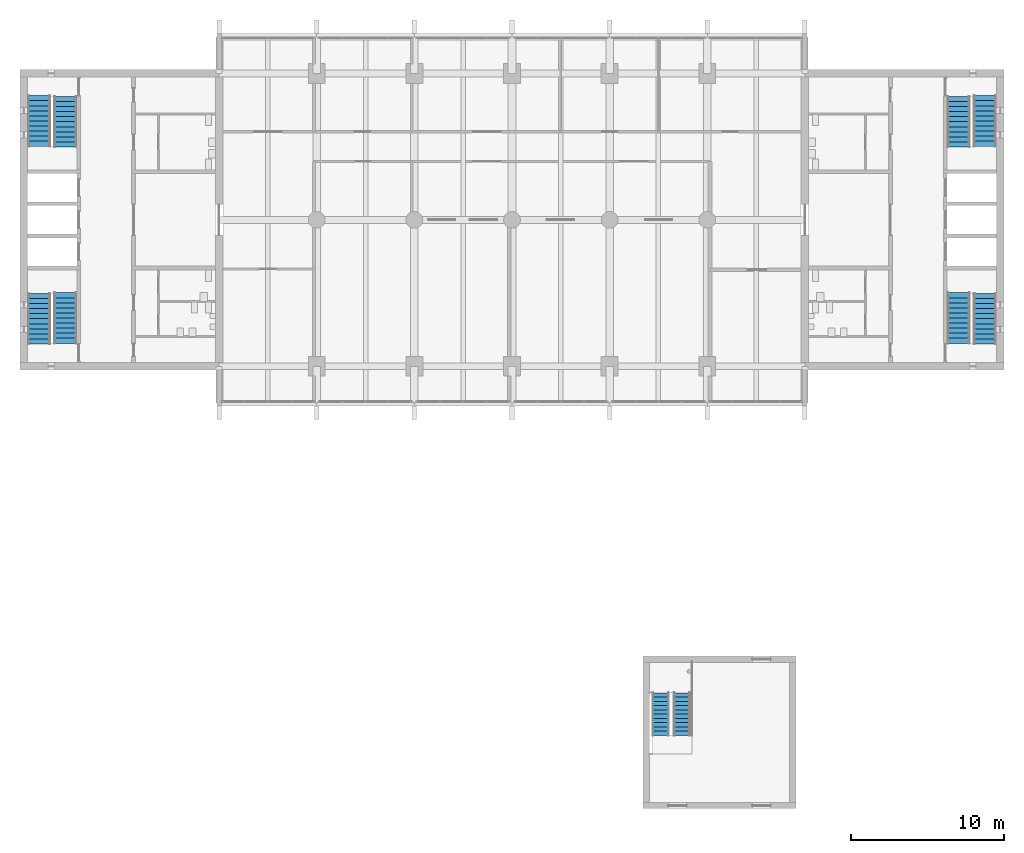
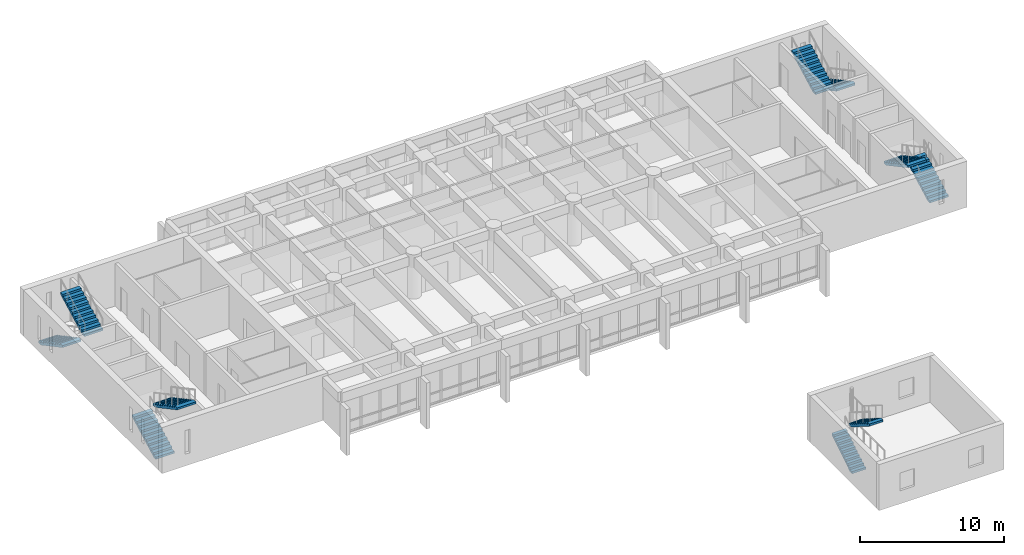
# One storey, part 15 of 19: 10 stair flights, 5 elements without a shape of their own.
"""IFC4 building model written with IfcOpenShell, lengths in metres."""

from ifc_helpers import new_model, si_unit, direction, frame, origin, place, context, subcontext, project, spatial, polyline, outline, extrude, material, type_object, element, aggregate, save


model = new_model("IFC4")

# Units and contexts
model_context = context("Model", 3, precision=1e-05, world=origin(), true_north=direction((0.0, 1.0)))
body_context = subcontext(model_context, "Body", "Model", "MODEL_VIEW")
ifc_project = project(units=[si_unit("LENGTHUNIT", "METRE"), si_unit("AREAUNIT", "SQUARE_METRE"), si_unit("VOLUMEUNIT", "CUBIC_METRE"), si_unit("PLANEANGLEUNIT", "RADIAN"), si_unit("MASSUNIT", "GRAM", prefix="KILO")], contexts=[model_context])

# Site, building, storey
site_placement = place(None, origin())
site = spatial("IfcSite", under=ifc_project, at=site_placement, CompositionType="ELEMENT")
building_placement = place(site_placement, origin())
building = spatial("IfcBuilding", under=site, at=building_placement, Name="Fogon Plaza Fire Station and Headquarters Tower", CompositionType="ELEMENT")
storey_placement = place(building_placement, frame((0.0, 0.0, 17.10009765625)))
storey = spatial("IfcBuildingStorey", under=building, at=storey_placement, Name="L04", CompositionType="ELEMENT", Elevation=17.10009765625)

# Stair, stair flights
ifc_material_1 = material(Name="Concrete C40", Category="concrete")
stair_type_1 = type_object("IfcStairType", Name="Drill Stair 1100", PredefinedType="HALF_TURN_STAIR", material=ifc_material_1)
stair_1_placement = place(storey_placement, origin())
stair_1 = element("IfcStair", 1, at=stair_1_placement, inside=storey, type_object=stair_type_1, Name="DT1", PredefinedType="HALF_TURN_STAIR")
ifc_material_2 = material(Name="Concrete C40", Category="concrete")
stair_flight_type_1 = type_object("IfcStairFlightType", Name="Drill Stair Flight 1100", PredefinedType="STRAIGHT", material=ifc_material_2)
stair_flight_1_placement = place(storey_placement, frame((54.550048828125, 9.39990234375, 0.0), z_axis=(0.0, 0.0, 1.0), x_axis=(0.0, 1.0, 0.0)))
stair_flight_1 = element("IfcStairFlight", 2, at=stair_flight_1_placement, type_object=stair_flight_type_1, Name="DT1 flight 1", NumberOfRisers=11, NumberOfTreads=10, PredefinedType="STRAIGHT", RiserHeight=0.177272727, TreadLength=0.28, context=body_context, shape_type="SweptSolid", body=[
    extrude(outline(polyline([(0.0, 0.0), (0.0, 0.17724609375), (0.280029296875, 0.17724609375), (0.280029296875, 0.3544921875), (0.56005859375, 0.3544921875), (0.56005859375, 0.53173828125), (0.840087890625, 0.53173828125), (0.840087890625, 0.708984375), (1.1201171875, 0.708984375), (1.1201171875, 0.886474609375), (1.39990234375, 0.886474609375), (1.39990234375, 1.063720703125), (1.679931640625, 1.063720703125), (1.679931640625, 1.240966796875), (1.9599609375, 1.240966796875), (1.9599609375, 1.418212890625), (2.239990234375, 1.418212890625), (2.239990234375, 1.595458984375), (2.52001953125, 1.595458984375), (2.52001953125, 1.772705078125), (2.800048828125, 1.772705078125), (2.800048828125, 1.949951171875), (2.800048828125, 1.59521484375), (0.2802734375, 0.0), (0.0, 0.0)])), frame((0.0, 0.550048828125, 0.0), z_axis=(0.0, -1.0, 0.0), x_axis=(1.0, 0.0, 0.0)), (0.0, 0.0, 1.0), 1.10009765625),
])
stair_flight_2_placement = place(storey_placement, frame((55.929931640625, 12.199951171875, 1.949951171875), z_axis=(0.0, 0.0, 1.0), x_axis=(0.0, -1.0, 0.0)))
stair_flight_2 = element("IfcStairFlight", 3, at=stair_flight_2_placement, type_object=stair_flight_type_1, Name="DT1 flight 2", NumberOfRisers=11, NumberOfTreads=10, PredefinedType="STRAIGHT", RiserHeight=0.177272727, TreadLength=0.28, context=body_context, shape_type="SweptSolid", body=[
    extrude(outline(polyline([(0.0, 0.0), (0.0, 0.17724609375), (0.280029296875, 0.17724609375), (0.280029296875, 0.3544921875), (0.56005859375, 0.3544921875), (0.56005859375, 0.53173828125), (0.840087890625, 0.53173828125), (0.840087890625, 0.708984375), (1.1201171875, 0.708984375), (1.1201171875, 0.886474609375), (1.39990234375, 0.886474609375), (1.39990234375, 1.063720703125), (1.679931640625, 1.063720703125), (1.679931640625, 1.240966796875), (1.9599609375, 1.240966796875), (1.9599609375, 1.418212890625), (2.239990234375, 1.418212890625), (2.239990234375, 1.595458984375), (2.52001953125, 1.595458984375), (2.52001953125, 1.772705078125), (2.800048828125, 1.772705078125), (2.800048828125, 1.949951171875), (2.800048828125, 1.59521484375), (0.2802734375, 0.0), (0.0, 0.0)])), frame((0.0, 0.550048828125, 0.0), z_axis=(0.0, -1.0, 0.0), x_axis=(1.0, 0.0, 0.0)), (0.0, 0.0, 1.0), 1.10009765625),
])
aggregate(stair_1, [stair_flight_1, stair_flight_2])

ifc_material_3 = material(Name="Concrete C40", Category="concrete")
stair_type_2 = type_object("IfcStairType", Name="Exit Stair Two Flights", PredefinedType="TWO_STRAIGHT_RUN_STAIR", material=ifc_material_3)
stair_2_placement = place(storey_placement, origin())
stair_2 = element("IfcStair", 4, at=stair_2_placement, inside=storey, type_object=stair_type_2, Name="Stair ST1", PredefinedType="TWO_STRAIGHT_RUN_STAIR")
ifc_material_4 = material(Name="Concrete C40", Category="concrete")
stair_flight_type_2 = type_object("IfcStairFlightType", Name="Stair Flight 11 Risers", PredefinedType="STRAIGHT", material=ifc_material_4)
stair_flight_3_placement = place(storey_placement, frame((13.800048828125, 35.060791015625, 0.0), z_axis=(0.0, 0.0, 1.0), x_axis=(0.0, 1.0, 0.0)))
stair_flight_3 = element("IfcStairFlight", 5, at=stair_flight_3_placement, type_object=stair_flight_type_2, Name="ST1 flight F11", NumberOfRisers=11, NumberOfTreads=10, PredefinedType="STRAIGHT", RiserHeight=0.177272727, TreadLength=0.3315, context=body_context, shape_type="SweptSolid", body=[
    extrude(outline(polyline([(0.0, 0.0), (0.0, 0.17724609375), (0.33154296875, 0.17724609375), (0.33154296875, 0.3544921875), (0.6630859375, 0.3544921875), (0.6630859375, 0.53173828125), (0.994384765625, 0.53173828125), (0.994384765625, 0.708984375), (1.325927734375, 0.708984375), (1.325927734375, 0.886474609375), (1.657470703125, 0.886474609375), (1.657470703125, 1.063720703125), (1.989013671875, 1.063720703125), (1.989013671875, 1.240966796875), (2.320556640625, 1.240966796875), (2.320556640625, 1.418212890625), (2.652099609375, 1.418212890625), (2.652099609375, 1.595458984375), (2.9833984375, 1.595458984375), (2.9833984375, 1.772705078125), (3.31494140625, 1.772705078125), (3.31494140625, 1.949951171875), (3.31494140625, 1.602783203125), (0.31787109375, 0.0), (0.0, 0.0)])), frame((0.0, 0.75, 0.0), z_axis=(0.0, -1.0, 0.0), x_axis=(1.0, 0.0, 0.0)), (0.0, 0.0, 1.0), 1.5),
])
stair_flight_4_placement = place(storey_placement, frame((15.52490234375, 38.42431640625, 1.949951171875), z_axis=(0.0, 0.0, 1.0), x_axis=(0.0, -1.0, 0.0)))
stair_flight_4 = element("IfcStairFlight", 6, at=stair_flight_4_placement, type_object=stair_flight_type_2, Name="ST1 flight F12", NumberOfRisers=11, NumberOfTreads=10, PredefinedType="STRAIGHT", RiserHeight=0.177272727, TreadLength=0.3315, context=body_context, shape_type="SweptSolid", body=[
    extrude(outline(polyline([(0.0, 0.0), (0.0, 0.17724609375), (0.33154296875, 0.17724609375), (0.33154296875, 0.3544921875), (0.6630859375, 0.3544921875), (0.6630859375, 0.53173828125), (0.994384765625, 0.53173828125), (0.994384765625, 0.708984375), (1.325927734375, 0.708984375), (1.325927734375, 0.886474609375), (1.657470703125, 0.886474609375), (1.657470703125, 1.063720703125), (1.989013671875, 1.063720703125), (1.989013671875, 1.240966796875), (2.320556640625, 1.240966796875), (2.320556640625, 1.418212890625), (2.652099609375, 1.418212890625), (2.652099609375, 1.595458984375), (2.9833984375, 1.595458984375), (2.9833984375, 1.772705078125), (3.31494140625, 1.772705078125), (3.31494140625, 1.949951171875), (3.31494140625, 1.602783203125), (0.31787109375, 0.0), (0.0, 0.0)])), frame((0.0, 0.75, 0.0), z_axis=(0.0, -1.0, 0.0), x_axis=(1.0, 0.0, 0.0)), (0.0, 0.0, 1.0), 1.5),
])
aggregate(stair_2, [stair_flight_3, stair_flight_4])

stair_3_placement = place(storey_placement, origin())
stair_3 = element("IfcStair", 7, at=stair_3_placement, inside=storey, type_object=stair_type_2, Name="Stair ST2", PredefinedType="TWO_STRAIGHT_RUN_STAIR")
stair_flight_5_placement = place(storey_placement, frame((13.800048828125, 51.33935546875, 0.0), z_axis=(0.0, 0.0, 1.0), x_axis=(0.0, -1.0, 0.0)))
stair_flight_5 = element("IfcStairFlight", 8, at=stair_flight_5_placement, type_object=stair_flight_type_2, Name="ST2 flight F11", NumberOfRisers=11, NumberOfTreads=10, PredefinedType="STRAIGHT", RiserHeight=0.177272727, TreadLength=0.3315, context=body_context, shape_type="SweptSolid", body=[
    extrude(outline(polyline([(0.0, 0.0), (0.0, 0.17724609375), (0.33154296875, 0.17724609375), (0.33154296875, 0.3544921875), (0.6630859375, 0.3544921875), (0.6630859375, 0.53173828125), (0.994384765625, 0.53173828125), (0.994384765625, 0.708984375), (1.325927734375, 0.708984375), (1.325927734375, 0.886474609375), (1.657470703125, 0.886474609375), (1.657470703125, 1.063720703125), (1.989013671875, 1.063720703125), (1.989013671875, 1.240966796875), (2.320556640625, 1.240966796875), (2.320556640625, 1.418212890625), (2.652099609375, 1.418212890625), (2.652099609375, 1.595458984375), (2.9833984375, 1.595458984375), (2.9833984375, 1.772705078125), (3.31494140625, 1.772705078125), (3.31494140625, 1.949951171875), (3.31494140625, 1.602783203125), (0.31787109375, 0.0), (0.0, 0.0)])), frame((0.0, 0.75, 0.0), z_axis=(0.0, -1.0, 0.0), x_axis=(1.0, 0.0, 0.0)), (0.0, 0.0, 1.0), 1.5),
])
stair_flight_6_placement = place(storey_placement, frame((15.52490234375, 47.975830078125, 1.949951171875), z_axis=(0.0, 0.0, 1.0), x_axis=(0.0, 1.0, 0.0)))
stair_flight_6 = element("IfcStairFlight", 9, at=stair_flight_6_placement, type_object=stair_flight_type_2, Name="ST2 flight F12", NumberOfRisers=11, NumberOfTreads=10, PredefinedType="STRAIGHT", RiserHeight=0.177272727, TreadLength=0.3315, context=body_context, shape_type="SweptSolid", body=[
    extrude(outline(polyline([(0.0, 0.0), (0.0, 0.17724609375), (0.33154296875, 0.17724609375), (0.33154296875, 0.3544921875), (0.6630859375, 0.3544921875), (0.6630859375, 0.53173828125), (0.994384765625, 0.53173828125), (0.994384765625, 0.708984375), (1.325927734375, 0.708984375), (1.325927734375, 0.886474609375), (1.657470703125, 0.886474609375), (1.657470703125, 1.063720703125), (1.989013671875, 1.063720703125), (1.989013671875, 1.240966796875), (2.320556640625, 1.240966796875), (2.320556640625, 1.418212890625), (2.652099609375, 1.418212890625), (2.652099609375, 1.595458984375), (2.9833984375, 1.595458984375), (2.9833984375, 1.772705078125), (3.31494140625, 1.772705078125), (3.31494140625, 1.949951171875), (3.31494140625, 1.602783203125), (0.31787109375, 0.0), (0.0, 0.0)])), frame((0.0, 0.75, 0.0), z_axis=(0.0, -1.0, 0.0), x_axis=(1.0, 0.0, 0.0)), (0.0, 0.0, 1.0), 1.5),
])
aggregate(stair_3, [stair_flight_5, stair_flight_6])

stair_4_placement = place(storey_placement, origin())
stair_4 = element("IfcStair", 10, at=stair_4_placement, inside=storey, type_object=stair_type_2, Name="Stair ST3", PredefinedType="TWO_STRAIGHT_RUN_STAIR")
stair_flight_7_placement = place(storey_placement, frame((75.800048828125, 35.060791015625, 0.0), z_axis=(0.0, 0.0, 1.0), x_axis=(0.0, 1.0, 0.0)))
stair_flight_7 = element("IfcStairFlight", 11, at=stair_flight_7_placement, type_object=stair_flight_type_2, Name="ST3 flight F11", NumberOfRisers=11, NumberOfTreads=10, PredefinedType="STRAIGHT", RiserHeight=0.177272727, TreadLength=0.3315, context=body_context, shape_type="SweptSolid", body=[
    extrude(outline(polyline([(0.0, 0.0), (0.0, 0.17724609375), (0.33154296875, 0.17724609375), (0.33154296875, 0.3544921875), (0.6630859375, 0.3544921875), (0.6630859375, 0.53173828125), (0.994384765625, 0.53173828125), (0.994384765625, 0.708984375), (1.325927734375, 0.708984375), (1.325927734375, 0.886474609375), (1.657470703125, 0.886474609375), (1.657470703125, 1.063720703125), (1.989013671875, 1.063720703125), (1.989013671875, 1.240966796875), (2.320556640625, 1.240966796875), (2.320556640625, 1.418212890625), (2.652099609375, 1.418212890625), (2.652099609375, 1.595458984375), (2.9833984375, 1.595458984375), (2.9833984375, 1.772705078125), (3.31494140625, 1.772705078125), (3.31494140625, 1.949951171875), (3.31494140625, 1.602783203125), (0.31787109375, 0.0), (0.0, 0.0)])), frame((0.0, 0.75, 0.0), z_axis=(0.0, -1.0, 0.0), x_axis=(1.0, 0.0, 0.0)), (0.0, 0.0, 1.0), 1.5),
])
stair_flight_8_placement = place(storey_placement, frame((74.074951171875, 38.42431640625, 1.949951171875), z_axis=(0.0, 0.0, 1.0), x_axis=(0.0, -1.0, 0.0)))
stair_flight_8 = element("IfcStairFlight", 12, at=stair_flight_8_placement, type_object=stair_flight_type_2, Name="ST3 flight F12", NumberOfRisers=11, NumberOfTreads=10, PredefinedType="STRAIGHT", RiserHeight=0.177272727, TreadLength=0.3315, context=body_context, shape_type="SweptSolid", body=[
    extrude(outline(polyline([(0.0, 0.0), (0.0, 0.17724609375), (0.33154296875, 0.17724609375), (0.33154296875, 0.3544921875), (0.6630859375, 0.3544921875), (0.6630859375, 0.53173828125), (0.994384765625, 0.53173828125), (0.994384765625, 0.708984375), (1.325927734375, 0.708984375), (1.325927734375, 0.886474609375), (1.657470703125, 0.886474609375), (1.657470703125, 1.063720703125), (1.989013671875, 1.063720703125), (1.989013671875, 1.240966796875), (2.320556640625, 1.240966796875), (2.320556640625, 1.418212890625), (2.652099609375, 1.418212890625), (2.652099609375, 1.595458984375), (2.9833984375, 1.595458984375), (2.9833984375, 1.772705078125), (3.31494140625, 1.772705078125), (3.31494140625, 1.949951171875), (3.31494140625, 1.602783203125), (0.31787109375, 0.0), (0.0, 0.0)])), frame((0.0, 0.75, 0.0), z_axis=(0.0, -1.0, 0.0), x_axis=(1.0, 0.0, 0.0)), (0.0, 0.0, 1.0), 1.5),
])
aggregate(stair_4, [stair_flight_7, stair_flight_8])

stair_5_placement = place(storey_placement, origin())
stair_5 = element("IfcStair", 13, at=stair_5_placement, inside=storey, type_object=stair_type_2, Name="Stair ST4", PredefinedType="TWO_STRAIGHT_RUN_STAIR")
stair_flight_9_placement = place(storey_placement, frame((75.800048828125, 51.33935546875, 0.0), z_axis=(0.0, 0.0, 1.0), x_axis=(0.0, -1.0, 0.0)))
stair_flight_9 = element("IfcStairFlight", 14, at=stair_flight_9_placement, type_object=stair_flight_type_2, Name="ST4 flight F11", NumberOfRisers=11, NumberOfTreads=10, PredefinedType="STRAIGHT", RiserHeight=0.177272727, TreadLength=0.3315, context=body_context, shape_type="SweptSolid", body=[
    extrude(outline(polyline([(0.0, 0.0), (0.0, 0.17724609375), (0.33154296875, 0.17724609375), (0.33154296875, 0.3544921875), (0.6630859375, 0.3544921875), (0.6630859375, 0.53173828125), (0.994384765625, 0.53173828125), (0.994384765625, 0.708984375), (1.325927734375, 0.708984375), (1.325927734375, 0.886474609375), (1.657470703125, 0.886474609375), (1.657470703125, 1.063720703125), (1.989013671875, 1.063720703125), (1.989013671875, 1.240966796875), (2.320556640625, 1.240966796875), (2.320556640625, 1.418212890625), (2.652099609375, 1.418212890625), (2.652099609375, 1.595458984375), (2.9833984375, 1.595458984375), (2.9833984375, 1.772705078125), (3.31494140625, 1.772705078125), (3.31494140625, 1.949951171875), (3.31494140625, 1.602783203125), (0.31787109375, 0.0), (0.0, 0.0)])), frame((0.0, 0.75, 0.0), z_axis=(0.0, -1.0, 0.0), x_axis=(1.0, 0.0, 0.0)), (0.0, 0.0, 1.0), 1.5),
])
stair_flight_10_placement = place(storey_placement, frame((74.074951171875, 47.975830078125, 1.949951171875), z_axis=(0.0, 0.0, 1.0), x_axis=(0.0, 1.0, 0.0)))
stair_flight_10 = element("IfcStairFlight", 15, at=stair_flight_10_placement, type_object=stair_flight_type_2, Name="ST4 flight F12", NumberOfRisers=11, NumberOfTreads=10, PredefinedType="STRAIGHT", RiserHeight=0.177272727, TreadLength=0.3315, context=body_context, shape_type="SweptSolid", body=[
    extrude(outline(polyline([(0.0, 0.0), (0.0, 0.17724609375), (0.33154296875, 0.17724609375), (0.33154296875, 0.3544921875), (0.6630859375, 0.3544921875), (0.6630859375, 0.53173828125), (0.994384765625, 0.53173828125), (0.994384765625, 0.708984375), (1.325927734375, 0.708984375), (1.325927734375, 0.886474609375), (1.657470703125, 0.886474609375), (1.657470703125, 1.063720703125), (1.989013671875, 1.063720703125), (1.989013671875, 1.240966796875), (2.320556640625, 1.240966796875), (2.320556640625, 1.418212890625), (2.652099609375, 1.418212890625), (2.652099609375, 1.595458984375), (2.9833984375, 1.595458984375), (2.9833984375, 1.772705078125), (3.31494140625, 1.772705078125), (3.31494140625, 1.949951171875), (3.31494140625, 1.602783203125), (0.31787109375, 0.0), (0.0, 0.0)])), frame((0.0, 0.75, 0.0), z_axis=(0.0, -1.0, 0.0), x_axis=(1.0, 0.0, 0.0)), (0.0, 0.0, 1.0), 1.5),
])
aggregate(stair_5, [stair_flight_9, stair_flight_10])

save(model, "model.ifc")
